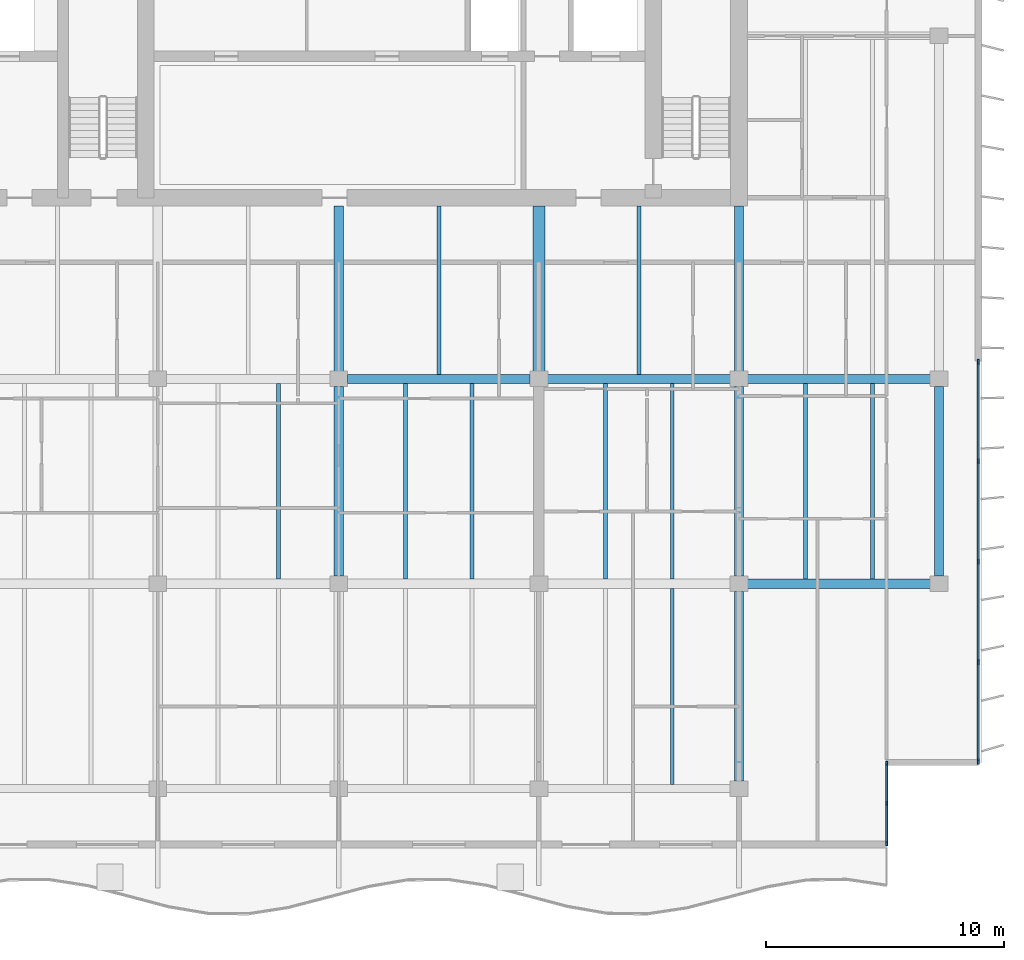
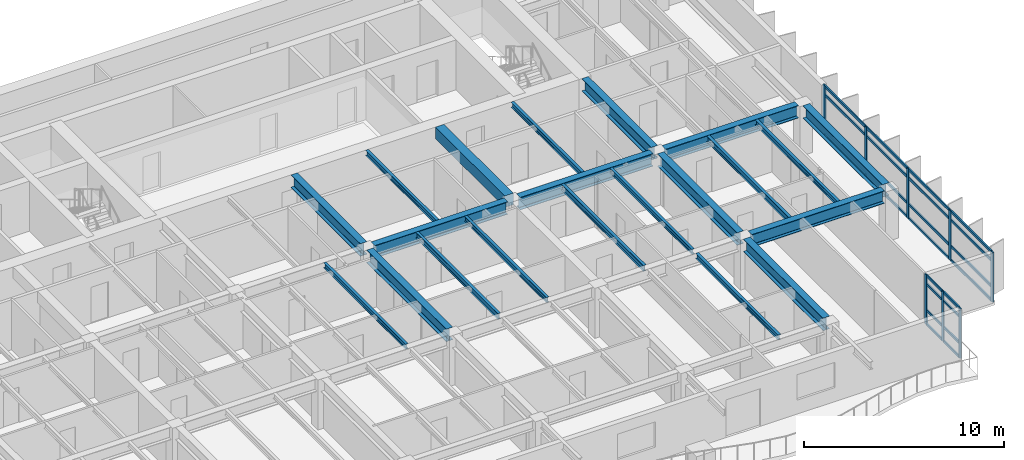
# One storey, part 4 of 19: 32 members, 21 beams, 2 elements without a shape of their own.
"""IFC4 building model written with IfcOpenShell, lengths in metres."""

from ifc_helpers import new_model, si_unit, direction, frame, origin, origin_2d, place, context, subcontext, project, spatial, rectangle, i_section, extrude, material, layer, layer_set, material_profile, profile_set, type_object, element, aggregate, save


model = new_model("IFC4")

# Units and contexts
model_context = context("Model", 3, precision=1e-05, world=origin(), true_north=direction((0.0, 1.0)))
body_context = subcontext(model_context, "Body", "Model", "MODEL_VIEW")
ifc_project = project(units=[si_unit("LENGTHUNIT", "METRE"), si_unit("AREAUNIT", "SQUARE_METRE"), si_unit("VOLUMEUNIT", "CUBIC_METRE"), si_unit("PLANEANGLEUNIT", "RADIAN"), si_unit("MASSUNIT", "GRAM", prefix="KILO")], contexts=[model_context])

# Site, building, storey
site_placement = place(None, origin())
site = spatial("IfcSite", under=ifc_project, at=site_placement, CompositionType="ELEMENT")
building_placement = place(site_placement, origin())
building = spatial("IfcBuilding", under=site, at=building_placement, Name="Caelmar Bay Residences", CompositionType="ELEMENT")
storey_placement = place(building_placement, frame((0.0, 0.0, 256.199951171875)))
storey = spatial("IfcBuildingStorey", under=building, at=storey_placement, Name="L72", CompositionType="ELEMENT", Elevation=256.199951171875)

# Beams
ifc_material_1 = material(Name="Steel ASTM A992 Grade 50", Category="steel")
ifc_material_profile_1 = material_profile(ifc_material_1, i_section(OverallWidth=0.381103515625, OverallDepth=0.77197265625, WebThickness=0.0166015625, FlangeThickness=0.027099609375, FilletRadius=0.0166015625, at=origin_2d()), Name="W30X173")
ifc_profile_set_1 = profile_set([ifc_material_profile_1], Name="Steel ASTM A992 Grade 50")
beam_type_1 = type_object("IfcBeamType", Name="BM-GRD-W30X173", PredefinedType="BEAM", material=ifc_profile_set_1)
beam_1_placement = place(storey_placement, frame((59.864990234375, 20.800048828125, 2.6640625), z_axis=(1.0, 0.0, 0.0), x_axis=(0.0, 1.0, 0.0)))
element("IfcBeam", 1, at=beam_1_placement, inside=storey, type_object=beam_type_1, Name="L72 East-West Girder Y=20.80 (59.5-67.9)", PredefinedType="BEAM", context=body_context, shape_type="SweptSolid", body=[
    extrude(i_section(OverallWidth=0.381103515625, OverallDepth=0.77197265625, WebThickness=0.0166015625, FlangeThickness=0.027099609375, FilletRadius=0.0166015625, at=origin_2d()), origin(), (0.0, 0.0, 1.0), 7.669921875),
])
beam_2_placement = place(storey_placement, frame((43.06494140625, 29.39990234375, 2.6640625), z_axis=(1.0, 0.0, 0.0), x_axis=(0.0, 1.0, 0.0)))
element("IfcBeam", 2, at=beam_2_placement, inside=storey, type_object=beam_type_1, Name="L72 East-West Girder Y=29.40 (42.7-51.1)", PredefinedType="BEAM", context=body_context, shape_type="SweptSolid", body=[
    extrude(i_section(OverallWidth=0.381103515625, OverallDepth=0.77197265625, WebThickness=0.0166015625, FlangeThickness=0.027099609375, FilletRadius=0.0166015625, at=origin_2d()), origin(), (0.0, 0.0, 1.0), 7.670166015625),
])
for number, where, z_axis, x_axis, name in (
    (3, (51.465087890625, 29.39990234375, 2.6640625), (1.0, 0.0, 0.0), (0.0, 1.0, 0.0), "L72 East-West Girder Y=29.40 (51.1-59.5)"),
    (4, (59.864990234375, 29.39990234375, 2.6640625), (1.0, 0.0, 0.0), (0.0, 1.0, 0.0), "L72 East-West Girder Y=29.40 (59.5-67.9)"),
):
    element("IfcBeam", number, at=place(storey_placement, frame(where, z_axis=z_axis, x_axis=x_axis)), inside=storey, type_object=beam_type_1, Name=name, PredefinedType="BEAM", context=body_context, shape_type="SweptSolid", body=[
        extrude(i_section(OverallWidth=0.381103515625, OverallDepth=0.77197265625, WebThickness=0.0166015625, FlangeThickness=0.027099609375, FilletRadius=0.0166015625, at=origin_2d()), origin(), (0.0, 0.0, 1.0), 7.669921875),
    ])
beam_3_placement = place(storey_placement, frame((42.699951171875, 29.715087890625, 2.6640625), z_axis=(0.0, 1.0, 0.0), x_axis=(-1.0, 0.0, 0.0)))
element("IfcBeam", 5, at=beam_3_placement, inside=storey, type_object=beam_type_1, Name="L72 Core Tie Girder X=42.70", PredefinedType="BEAM", context=body_context, shape_type="SweptSolid", body=[
    extrude(i_section(OverallWidth=0.381103515625, OverallDepth=0.77197265625, WebThickness=0.0166015625, FlangeThickness=0.027099609375, FilletRadius=0.0166015625, at=origin_2d()), origin(), (0.0, 0.0, 1.0), 6.934814453125),
])
beam_4_placement = place(storey_placement, frame((42.699951171875, 21.114990234375, 2.6640625), z_axis=(0.0, 1.0, 0.0), x_axis=(-1.0, 0.0, 0.0)))
element("IfcBeam", 6, at=beam_4_placement, inside=storey, type_object=beam_type_1, Name="L72 North-South Girder X=42.70 (20.8-29.4)", PredefinedType="BEAM", context=body_context, shape_type="SweptSolid", body=[
    extrude(i_section(OverallWidth=0.381103515625, OverallDepth=0.77197265625, WebThickness=0.0166015625, FlangeThickness=0.027099609375, FilletRadius=0.0166015625, at=origin_2d()), origin(), (0.0, 0.0, 1.0), 7.969970703125),
])
beam_5_placement = place(storey_placement, frame((59.5, 29.715087890625, 2.6640625), z_axis=(0.0, 1.0, 0.0), x_axis=(-1.0, 0.0, 0.0)))
element("IfcBeam", 7, at=beam_5_placement, inside=storey, type_object=beam_type_1, Name="L72 Core Tie Girder X=59.50", PredefinedType="BEAM", context=body_context, shape_type="SweptSolid", body=[
    extrude(i_section(OverallWidth=0.381103515625, OverallDepth=0.77197265625, WebThickness=0.0166015625, FlangeThickness=0.027099609375, FilletRadius=0.0166015625, at=origin_2d()), origin(), (0.0, 0.0, 1.0), 6.934814453125),
])
beam_6_placement = place(storey_placement, frame((59.5, 12.514892578125, 2.6640625), z_axis=(0.0, 1.0, 0.0), x_axis=(-1.0, 0.0, 0.0)))
element("IfcBeam", 8, at=beam_6_placement, inside=storey, type_object=beam_type_1, Name="L72 North-South Girder X=59.50 (12.2-20.8)", PredefinedType="BEAM", context=body_context, shape_type="SweptSolid", body=[
    extrude(i_section(OverallWidth=0.381103515625, OverallDepth=0.77197265625, WebThickness=0.0166015625, FlangeThickness=0.027099609375, FilletRadius=0.0166015625, at=origin_2d()), origin(), (0.0, 0.0, 1.0), 7.97021484375),
])
for number, where, z_axis, x_axis, name in (
    (9, (59.5, 21.114990234375, 2.6640625), (0.0, 1.0, 0.0), (-1.0, 0.0, 0.0), "L72 North-South Girder X=59.50 (20.8-29.4)"),
    (10, (67.89990234375, 21.114990234375, 2.6640625), (0.0, 1.0, 0.0), (-1.0, 0.0, 0.0), "L72 North-South Girder X=67.90 (20.8-29.4)"),
):
    element("IfcBeam", number, at=place(storey_placement, frame(where, z_axis=z_axis, x_axis=x_axis)), inside=storey, type_object=beam_type_1, Name=name, PredefinedType="BEAM", context=body_context, shape_type="SweptSolid", body=[
        extrude(i_section(OverallWidth=0.381103515625, OverallDepth=0.77197265625, WebThickness=0.0166015625, FlangeThickness=0.027099609375, FilletRadius=0.0166015625, at=origin_2d()), origin(), (0.0, 0.0, 1.0), 7.969970703125),
    ])
ifc_material_profile_2 = material_profile(ifc_material_1, i_section(OverallWidth=0.1650390625, OverallDepth=0.31005859375, WebThickness=0.005859375, FlangeThickness=0.009765625, FilletRadius=0.007568359375, at=origin_2d()), Name="W12X26")
ifc_profile_set_2 = profile_set([ifc_material_profile_2], Name="Steel ASTM A992 Grade 50")
beam_type_2 = type_object("IfcBeamType", Name="BM-JST-W12X26", PredefinedType="JOIST", material=ifc_profile_set_2)
beam_7_placement = place(storey_placement, frame((56.699951171875, 12.362548828125, 2.89501953125), z_axis=(0.0, 1.0, 0.0), x_axis=(-1.0, 0.0, 0.0)))
element("IfcBeam", 11, at=beam_7_placement, inside=storey, type_object=beam_type_2, Name="L72 Composite Floor Joist 10", PredefinedType="JOIST", context=body_context, shape_type="SweptSolid", body=[
    extrude(i_section(OverallWidth=0.1650390625, OverallDepth=0.31005859375, WebThickness=0.005859375, FlangeThickness=0.009765625, FilletRadius=0.007568359375, at=origin_2d()), origin(), (0.0, 0.0, 1.0), 8.2470703125),
])
for number, where, z_axis, x_axis, name in (
    (12, (40.166748046875, 20.990478515625, 2.89501953125), (0.0, 1.0, 0.0), (-1.0, 0.0, 0.0), "L72 Composite Floor Joist 18"),
    (13, (48.300048828125, 20.990478515625, 2.89501953125), (0.0, 1.0, 0.0), (-1.0, 0.0, 0.0), "L72 Composite Floor Joist 20"),
    (14, (56.699951171875, 20.990478515625, 2.89501953125), (0.0, 1.0, 0.0), (-1.0, 0.0, 0.0), "L72 Composite Floor Joist 22"),
    (15, (65.10009765625, 20.990478515625, 2.89501953125), (0.0, 1.0, 0.0), (-1.0, 0.0, 0.0), "L72 Composite Floor Joist 24"),
):
    element("IfcBeam", number, at=place(storey_placement, frame(where, z_axis=z_axis, x_axis=x_axis)), inside=storey, type_object=beam_type_2, Name=name, PredefinedType="JOIST", context=body_context, shape_type="SweptSolid", body=[
        extrude(i_section(OverallWidth=0.1650390625, OverallDepth=0.31005859375, WebThickness=0.005859375, FlangeThickness=0.009765625, FilletRadius=0.007568359375, at=origin_2d()), origin(), (0.0, 0.0, 1.0), 8.218994140625),
    ])
for number, where, z_axis, x_axis, name in (
    (16, (46.89990234375, 29.590576171875, 2.89501953125), (0.0, 1.0, 0.0), (-1.0, 0.0, 0.0), "L72 Core-Band Composite Joist 28"),
    (17, (55.300048828125, 29.590576171875, 2.89501953125), (0.0, 1.0, 0.0), (-1.0, 0.0, 0.0), "L72 Core-Band Composite Joist 29"),
):
    element("IfcBeam", number, at=place(storey_placement, frame(where, z_axis=z_axis, x_axis=x_axis)), inside=storey, type_object=beam_type_2, Name=name, PredefinedType="JOIST", context=body_context, shape_type="SweptSolid", body=[
        extrude(i_section(OverallWidth=0.1650390625, OverallDepth=0.31005859375, WebThickness=0.005859375, FlangeThickness=0.009765625, FilletRadius=0.007568359375, at=origin_2d()), origin(), (0.0, 0.0, 1.0), 7.059326171875),
    ])
ifc_material_profile_3 = material_profile(ifc_material_1, i_section(OverallWidth=0.1708984375, OverallDepth=0.35595703125, WebThickness=0.007080078125, FlangeThickness=0.01171875, FilletRadius=0.007568359375, at=origin_2d()), Name="W14X34")
ifc_profile_set_3 = profile_set([ifc_material_profile_3], Name="Steel ASTM A992 Grade 50")
beam_type_3 = type_object("IfcBeamType", Name="BM-JST-W14X34", PredefinedType="JOIST", material=ifc_profile_set_3)
for number, where, z_axis, x_axis, name in (
    (18, (45.5, 20.990478515625, 2.8720703125), (0.0, 1.0, 0.0), (-1.0, 0.0, 0.0), "L72 Composite Floor Joist 19"),
    (19, (53.89990234375, 20.990478515625, 2.8720703125), (0.0, 1.0, 0.0), (-1.0, 0.0, 0.0), "L72 Composite Floor Joist 21"),
    (20, (62.300048828125, 20.990478515625, 2.8720703125), (0.0, 1.0, 0.0), (-1.0, 0.0, 0.0), "L72 Composite Floor Joist 23"),
):
    element("IfcBeam", number, at=place(storey_placement, frame(where, z_axis=z_axis, x_axis=x_axis)), inside=storey, type_object=beam_type_3, Name=name, PredefinedType="JOIST", context=body_context, shape_type="SweptSolid", body=[
        extrude(i_section(OverallWidth=0.1708984375, OverallDepth=0.35595703125, WebThickness=0.007080078125, FlangeThickness=0.01171875, FilletRadius=0.007568359375, at=origin_2d()), origin(), (0.0, 0.0, 1.0), 8.218994140625),
    ])
ifc_material_2 = material(Name="Concrete f'c 55 MPa (8,000 psi)", Category="concrete")
ifc_material_profile_4 = material_profile(ifc_material_2, rectangle(XDim=0.5, YDim=0.699951171875, at=origin_2d()), Name="RC-BM-500X700")
ifc_profile_set_4 = profile_set([ifc_material_profile_4], Name="Concrete f'c 55 MPa (8,000 psi)")
beam_type_4 = type_object("IfcBeamType", Name="BM-RC-500X700", PredefinedType="LINTEL", material=ifc_profile_set_4)
beam_8_placement = place(storey_placement, frame((51.10009765625, 29.715087890625, 2.699951171875), z_axis=(0.0, 1.0, 0.0), x_axis=(-1.0, 0.0, 0.0)))
element("IfcBeam", 21, at=beam_8_placement, inside=storey, type_object=beam_type_4, Name="L72 Shear-Wall Corridor Coupling Lintel E8", PredefinedType="LINTEL", context=body_context, shape_type="SweptSolid", body=[
    extrude(rectangle(XDim=0.5, YDim=0.699951171875, at=origin_2d()), origin(), (0.0, 0.0, 1.0), 6.934814453125),
])

# Curtain wall, members
ifc_material_3 = material(Name="Anodised bronze aluminium 6063-T6 and laminated glass", Category="aluminium")
ifc_layer_1 = layer(ifc_material_3, 0.179931640625)
ifc_layer_set_1 = layer_set([ifc_layer_1], Name="Anodised bronze aluminium 6063-T6 and laminated glass")
curtain_wall_type_1 = type_object("IfcCurtainWallType", Name="CW6-NTC", PredefinedType="NOTDEFINED", material=ifc_layer_set_1)
curtain_wall_1_placement = place(storey_placement, origin())
curtain_wall_1 = element("IfcCurtainWall", 22, at=curtain_wall_1_placement, inside=storey, type_object=curtain_wall_type_1, Name="CW6 curtain wall L72", PredefinedType="NOTDEFINED")
ifc_material_4 = material(Name="Anodised bronze aluminium 6063-T6", Category="aluminium")
ifc_material_profile_5 = material_profile(ifc_material_4, rectangle(XDim=0.080078125, YDim=0.179931640625, at=origin_2d()), Name="CWM-80X180")
ifc_profile_set_5 = profile_set([ifc_material_profile_5], Name="Anodised bronze aluminium 6063-T6")
member_type_1 = type_object("IfcMemberType", Name="CWM-180", PredefinedType="MULLION", material=ifc_profile_set_5)
member_1_placement = place(storey_placement, frame((65.699951171875, 9.889892578125, 0.0), z_axis=(0.0, 0.0, 1.0), x_axis=(-1.0, 0.0, 0.0)))
member_1 = element("IfcMember", 23, at=member_1_placement, type_object=member_type_1, Name="CW6 mullion 1", PredefinedType="MULLION", context=body_context, shape_type="SweptSolid", body=[
    extrude(rectangle(XDim=0.080078125, YDim=0.179931640625, at=origin_2d()), origin(), (0.0, 0.0, 1.0), 3.050048828125),
])
member_2_placement = place(storey_placement, frame((65.699951171875, 11.574951171875, 0.0), z_axis=(0.0, 0.0, 1.0), x_axis=(-1.0, 0.0, 0.0)))
member_2 = element("IfcMember", 24, at=member_2_placement, type_object=member_type_1, Name="CW6 mullion 2", PredefinedType="MULLION", context=body_context, shape_type="SweptSolid", body=[
    extrude(rectangle(XDim=0.080078125, YDim=0.179931640625, at=origin_2d()), origin(), (0.0, 0.0, 1.0), 3.050048828125),
])
member_3_placement = place(storey_placement, frame((65.699951171875, 13.260009765625, 0.0), z_axis=(0.0, 0.0, 1.0), x_axis=(-1.0, 0.0, 0.0)))
member_3 = element("IfcMember", 25, at=member_3_placement, type_object=member_type_1, Name="CW6 mullion 3", PredefinedType="MULLION", context=body_context, shape_type="SweptSolid", body=[
    extrude(rectangle(XDim=0.080078125, YDim=0.179931640625, at=origin_2d()), origin(), (0.0, 0.0, 1.0), 3.050048828125),
])

ifc_layer_2 = layer(ifc_material_3, 0.179931640625)
ifc_layer_set_2 = layer_set([ifc_layer_2], Name="Anodised bronze aluminium 6063-T6 and laminated glass")
curtain_wall_type_2 = type_object("IfcCurtainWallType", Name="CW5-Z4", PredefinedType="NOTDEFINED", material=ifc_layer_set_2)
curtain_wall_2_placement = place(storey_placement, origin())
curtain_wall_2 = element("IfcCurtainWall", 26, at=curtain_wall_2_placement, inside=storey, type_object=curtain_wall_type_2, Name="CW5 curtain wall L72", PredefinedType="NOTDEFINED")
ifc_material_profile_6 = material_profile(ifc_material_4, rectangle(XDim=0.080078125, YDim=0.219970703125, at=origin_2d()), Name="CWM-80X220")
ifc_profile_set_6 = profile_set([ifc_material_profile_6], Name="Anodised bronze aluminium 6063-T6")
member_type_2 = type_object("IfcMemberType", Name="CWM-220", PredefinedType="MULLION", material=ifc_profile_set_6)
member_4_placement = place(storey_placement, frame((69.550048828125, 30.110107421875, 0.0), z_axis=(0.0, 0.0, 1.0), x_axis=(1.0, 0.0, 0.0)))
member_4 = element("IfcMember", 27, at=member_4_placement, type_object=member_type_2, Name="CW5 mullion 1", PredefinedType="MULLION", context=body_context, shape_type="SweptSolid", body=[
    extrude(rectangle(XDim=0.080078125, YDim=0.219970703125, at=origin_2d()), origin(), (0.0, 0.0, 1.0), 3.050048828125),
])
member_5_placement = place(storey_placement, frame((69.550048828125, 25.9375, 0.0), z_axis=(0.0, 0.0, 1.0), x_axis=(1.0, 0.0, 0.0)))
member_5 = element("IfcMember", 28, at=member_5_placement, type_object=member_type_2, Name="CW5 mullion 2", PredefinedType="MULLION", context=body_context, shape_type="SweptSolid", body=[
    extrude(rectangle(XDim=0.080078125, YDim=0.219970703125, at=origin_2d()), origin(), (0.0, 0.0, 1.0), 3.050048828125),
])
member_6_placement = place(storey_placement, frame((69.550048828125, 21.72509765625, 0.0), z_axis=(0.0, 0.0, 1.0), x_axis=(1.0, 0.0, 0.0)))
member_6 = element("IfcMember", 29, at=member_6_placement, type_object=member_type_2, Name="CW5 mullion 3", PredefinedType="MULLION", context=body_context, shape_type="SweptSolid", body=[
    extrude(rectangle(XDim=0.080078125, YDim=0.219970703125, at=origin_2d()), origin(), (0.0, 0.0, 1.0), 3.050048828125),
])
member_7_placement = place(storey_placement, frame((69.550048828125, 17.512451171875, 0.0), z_axis=(0.0, 0.0, 1.0), x_axis=(1.0, 0.0, 0.0)))
member_7 = element("IfcMember", 30, at=member_7_placement, type_object=member_type_2, Name="CW5 mullion 4", PredefinedType="MULLION", context=body_context, shape_type="SweptSolid", body=[
    extrude(rectangle(XDim=0.080078125, YDim=0.219970703125, at=origin_2d()), origin(), (0.0, 0.0, 1.0), 3.050048828125),
])
member_8_placement = place(storey_placement, frame((69.550048828125, 13.340087890625, 0.0), z_axis=(0.0, 0.0, 1.0), x_axis=(1.0, 0.0, 0.0)))
member_8 = element("IfcMember", 31, at=member_8_placement, type_object=member_type_2, Name="CW5 mullion 5", PredefinedType="MULLION", context=body_context, shape_type="SweptSolid", body=[
    extrude(rectangle(XDim=0.080078125, YDim=0.219970703125, at=origin_2d()), origin(), (0.0, 0.0, 1.0), 3.050048828125),
])

# Member
ifc_material_profile_7 = material_profile(ifc_material_4, rectangle(XDim=0.080078125, YDim=0.139892578125, at=origin_2d()), Name="CWT-80X140")
ifc_profile_set_7 = profile_set([ifc_material_profile_7], Name="Anodised bronze aluminium 6063-T6")
member_type_3 = type_object("IfcMemberType", Name="CWT-140", PredefinedType="NOTDEFINED", material=ifc_profile_set_7)
member_9_placement = place(storey_placement, frame((65.699951171875, 9.929931640625, 0.0400390625), z_axis=(0.0, 1.0, 0.0), x_axis=(-1.0, 0.0, 0.0)))
member_9 = element("IfcMember", 32, at=member_9_placement, type_object=member_type_3, Name="CW6 transom 1.1", ObjectType="TRANSOM", PredefinedType="USERDEFINED", context=body_context, shape_type="SweptSolid", body=[
    extrude(rectangle(XDim=0.080078125, YDim=0.139892578125, at=origin_2d()), origin(), (0.0, 0.0, 1.0), 1.60498046875),
])

member_10_placement = place(storey_placement, frame((65.699951171875, 9.929931640625, 0.900146484375), z_axis=(0.0, 1.0, 0.0), x_axis=(-1.0, 0.0, 0.0)))
member_10 = element("IfcMember", 33, at=member_10_placement, type_object=member_type_3, Name="CW6 transom 1.2", ObjectType="TRANSOM", PredefinedType="USERDEFINED", context=body_context, shape_type="SweptSolid", body=[
    extrude(rectangle(XDim=0.080078125, YDim=0.139892578125, at=origin_2d()), origin(), (0.0, 0.0, 1.0), 1.60498046875),
])

member_11_placement = place(storey_placement, frame((65.699951171875, 9.929931640625, 2.5), z_axis=(0.0, 1.0, 0.0), x_axis=(-1.0, 0.0, 0.0)))
member_11 = element("IfcMember", 34, at=member_11_placement, type_object=member_type_3, Name="CW6 transom 1.3", ObjectType="TRANSOM", PredefinedType="USERDEFINED", context=body_context, shape_type="SweptSolid", body=[
    extrude(rectangle(XDim=0.080078125, YDim=0.139892578125, at=origin_2d()), origin(), (0.0, 0.0, 1.0), 1.60498046875),
])

member_12_placement = place(storey_placement, frame((65.699951171875, 9.929931640625, 3.010009765625), z_axis=(0.0, 1.0, 0.0), x_axis=(-1.0, 0.0, 0.0)))
member_12 = element("IfcMember", 35, at=member_12_placement, type_object=member_type_3, Name="CW6 transom 1.4", ObjectType="TRANSOM", PredefinedType="USERDEFINED", context=body_context, shape_type="SweptSolid", body=[
    extrude(rectangle(XDim=0.080078125, YDim=0.139892578125, at=origin_2d()), origin(), (0.0, 0.0, 1.0), 1.60498046875),
])

member_13_placement = place(storey_placement, frame((65.699951171875, 11.614990234375, 0.0400390625), z_axis=(0.0, 1.0, 0.0), x_axis=(-1.0, 0.0, 0.0)))
member_13 = element("IfcMember", 36, at=member_13_placement, type_object=member_type_3, Name="CW6 transom 2.1", ObjectType="TRANSOM", PredefinedType="USERDEFINED", context=body_context, shape_type="SweptSolid", body=[
    extrude(rectangle(XDim=0.080078125, YDim=0.139892578125, at=origin_2d()), origin(), (0.0, 0.0, 1.0), 1.60498046875),
])

member_14_placement = place(storey_placement, frame((65.699951171875, 11.614990234375, 0.900146484375), z_axis=(0.0, 1.0, 0.0), x_axis=(-1.0, 0.0, 0.0)))
member_14 = element("IfcMember", 37, at=member_14_placement, type_object=member_type_3, Name="CW6 transom 2.2", ObjectType="TRANSOM", PredefinedType="USERDEFINED", context=body_context, shape_type="SweptSolid", body=[
    extrude(rectangle(XDim=0.080078125, YDim=0.139892578125, at=origin_2d()), origin(), (0.0, 0.0, 1.0), 1.60498046875),
])

member_15_placement = place(storey_placement, frame((65.699951171875, 11.614990234375, 2.5), z_axis=(0.0, 1.0, 0.0), x_axis=(-1.0, 0.0, 0.0)))
member_15 = element("IfcMember", 38, at=member_15_placement, type_object=member_type_3, Name="CW6 transom 2.3", ObjectType="TRANSOM", PredefinedType="USERDEFINED", context=body_context, shape_type="SweptSolid", body=[
    extrude(rectangle(XDim=0.080078125, YDim=0.139892578125, at=origin_2d()), origin(), (0.0, 0.0, 1.0), 1.60498046875),
])

member_16_placement = place(storey_placement, frame((65.699951171875, 11.614990234375, 3.010009765625), z_axis=(0.0, 1.0, 0.0), x_axis=(-1.0, 0.0, 0.0)))
member_16 = element("IfcMember", 39, at=member_16_placement, type_object=member_type_3, Name="CW6 transom 2.4", ObjectType="TRANSOM", PredefinedType="USERDEFINED", context=body_context, shape_type="SweptSolid", body=[
    extrude(rectangle(XDim=0.080078125, YDim=0.139892578125, at=origin_2d()), origin(), (0.0, 0.0, 1.0), 1.60498046875),
])

aggregate(curtain_wall_1, [member_1, member_2, member_3, member_9, member_10, member_11, member_12, member_13, member_14, member_15, member_16])

ifc_material_profile_8 = material_profile(ifc_material_4, rectangle(XDim=0.080078125, YDim=0.159912109375, at=origin_2d()), Name="CWT-80X160")
ifc_profile_set_8 = profile_set([ifc_material_profile_8], Name="Anodised bronze aluminium 6063-T6")
member_type_4 = type_object("IfcMemberType", Name="CWT-160", PredefinedType="NOTDEFINED", material=ifc_profile_set_8)
member_17_placement = place(storey_placement, frame((69.550048828125, 30.070068359375, 0.0400390625), z_axis=(0.0, -1.0, 0.0), x_axis=(1.0, 0.0, 0.0)))
member_17 = element("IfcMember", 40, at=member_17_placement, type_object=member_type_4, Name="CW5 transom 1.1", ObjectType="TRANSOM", PredefinedType="USERDEFINED", context=body_context, shape_type="SweptSolid", body=[
    extrude(rectangle(XDim=0.080078125, YDim=0.159912109375, at=origin_2d()), origin(), (0.0, 0.0, 1.0), 4.092529296875),
])

member_18_placement = place(storey_placement, frame((69.550048828125, 30.070068359375, 0.900146484375), z_axis=(0.0, -1.0, 0.0), x_axis=(1.0, 0.0, 0.0)))
member_18 = element("IfcMember", 41, at=member_18_placement, type_object=member_type_4, Name="CW5 transom 1.2", ObjectType="TRANSOM", PredefinedType="USERDEFINED", context=body_context, shape_type="SweptSolid", body=[
    extrude(rectangle(XDim=0.080078125, YDim=0.159912109375, at=origin_2d()), origin(), (0.0, 0.0, 1.0), 4.092529296875),
])

member_19_placement = place(storey_placement, frame((69.550048828125, 30.070068359375, 2.5), z_axis=(0.0, -1.0, 0.0), x_axis=(1.0, 0.0, 0.0)))
member_19 = element("IfcMember", 42, at=member_19_placement, type_object=member_type_4, Name="CW5 transom 1.3", ObjectType="TRANSOM", PredefinedType="USERDEFINED", context=body_context, shape_type="SweptSolid", body=[
    extrude(rectangle(XDim=0.080078125, YDim=0.159912109375, at=origin_2d()), origin(), (0.0, 0.0, 1.0), 4.092529296875),
])

member_20_placement = place(storey_placement, frame((69.550048828125, 30.070068359375, 3.010009765625), z_axis=(0.0, -1.0, 0.0), x_axis=(1.0, 0.0, 0.0)))
member_20 = element("IfcMember", 43, at=member_20_placement, type_object=member_type_4, Name="CW5 transom 1.4", ObjectType="TRANSOM", PredefinedType="USERDEFINED", context=body_context, shape_type="SweptSolid", body=[
    extrude(rectangle(XDim=0.080078125, YDim=0.159912109375, at=origin_2d()), origin(), (0.0, 0.0, 1.0), 4.092529296875),
])

member_21_placement = place(storey_placement, frame((69.550048828125, 25.8974609375, 0.0400390625), z_axis=(0.0, -1.0, 0.0), x_axis=(1.0, 0.0, 0.0)))
member_21 = element("IfcMember", 44, at=member_21_placement, type_object=member_type_4, Name="CW5 transom 2.1", ObjectType="TRANSOM", PredefinedType="USERDEFINED", context=body_context, shape_type="SweptSolid", body=[
    extrude(rectangle(XDim=0.080078125, YDim=0.159912109375, at=origin_2d()), origin(), (0.0, 0.0, 1.0), 4.132568359375),
])

member_22_placement = place(storey_placement, frame((69.550048828125, 25.8974609375, 0.900146484375), z_axis=(0.0, -1.0, 0.0), x_axis=(1.0, 0.0, 0.0)))
member_22 = element("IfcMember", 45, at=member_22_placement, type_object=member_type_4, Name="CW5 transom 2.2", ObjectType="TRANSOM", PredefinedType="USERDEFINED", context=body_context, shape_type="SweptSolid", body=[
    extrude(rectangle(XDim=0.080078125, YDim=0.159912109375, at=origin_2d()), origin(), (0.0, 0.0, 1.0), 4.132568359375),
])

member_23_placement = place(storey_placement, frame((69.550048828125, 25.8974609375, 2.5), z_axis=(0.0, -1.0, 0.0), x_axis=(1.0, 0.0, 0.0)))
member_23 = element("IfcMember", 46, at=member_23_placement, type_object=member_type_4, Name="CW5 transom 2.3", ObjectType="TRANSOM", PredefinedType="USERDEFINED", context=body_context, shape_type="SweptSolid", body=[
    extrude(rectangle(XDim=0.080078125, YDim=0.159912109375, at=origin_2d()), origin(), (0.0, 0.0, 1.0), 4.132568359375),
])

member_24_placement = place(storey_placement, frame((69.550048828125, 25.8974609375, 3.010009765625), z_axis=(0.0, -1.0, 0.0), x_axis=(1.0, 0.0, 0.0)))
member_24 = element("IfcMember", 47, at=member_24_placement, type_object=member_type_4, Name="CW5 transom 2.4", ObjectType="TRANSOM", PredefinedType="USERDEFINED", context=body_context, shape_type="SweptSolid", body=[
    extrude(rectangle(XDim=0.080078125, YDim=0.159912109375, at=origin_2d()), origin(), (0.0, 0.0, 1.0), 4.132568359375),
])

member_25_placement = place(storey_placement, frame((69.550048828125, 21.68505859375, 0.0400390625), z_axis=(0.0, -1.0, 0.0), x_axis=(1.0, 0.0, 0.0)))
member_25 = element("IfcMember", 48, at=member_25_placement, type_object=member_type_4, Name="CW5 transom 3.1", ObjectType="TRANSOM", PredefinedType="USERDEFINED", context=body_context, shape_type="SweptSolid", body=[
    extrude(rectangle(XDim=0.080078125, YDim=0.159912109375, at=origin_2d()), origin(), (0.0, 0.0, 1.0), 4.132568359375),
])

member_26_placement = place(storey_placement, frame((69.550048828125, 21.68505859375, 0.900146484375), z_axis=(0.0, -1.0, 0.0), x_axis=(1.0, 0.0, 0.0)))
member_26 = element("IfcMember", 49, at=member_26_placement, type_object=member_type_4, Name="CW5 transom 3.2", ObjectType="TRANSOM", PredefinedType="USERDEFINED", context=body_context, shape_type="SweptSolid", body=[
    extrude(rectangle(XDim=0.080078125, YDim=0.159912109375, at=origin_2d()), origin(), (0.0, 0.0, 1.0), 4.132568359375),
])

member_27_placement = place(storey_placement, frame((69.550048828125, 21.68505859375, 2.5), z_axis=(0.0, -1.0, 0.0), x_axis=(1.0, 0.0, 0.0)))
member_27 = element("IfcMember", 50, at=member_27_placement, type_object=member_type_4, Name="CW5 transom 3.3", ObjectType="TRANSOM", PredefinedType="USERDEFINED", context=body_context, shape_type="SweptSolid", body=[
    extrude(rectangle(XDim=0.080078125, YDim=0.159912109375, at=origin_2d()), origin(), (0.0, 0.0, 1.0), 4.132568359375),
])

member_28_placement = place(storey_placement, frame((69.550048828125, 21.68505859375, 3.010009765625), z_axis=(0.0, -1.0, 0.0), x_axis=(1.0, 0.0, 0.0)))
member_28 = element("IfcMember", 51, at=member_28_placement, type_object=member_type_4, Name="CW5 transom 3.4", ObjectType="TRANSOM", PredefinedType="USERDEFINED", context=body_context, shape_type="SweptSolid", body=[
    extrude(rectangle(XDim=0.080078125, YDim=0.159912109375, at=origin_2d()), origin(), (0.0, 0.0, 1.0), 4.132568359375),
])

member_29_placement = place(storey_placement, frame((69.550048828125, 17.472412109375, 0.0400390625), z_axis=(0.0, -1.0, 0.0), x_axis=(1.0, 0.0, 0.0)))
member_29 = element("IfcMember", 52, at=member_29_placement, type_object=member_type_4, Name="CW5 transom 4.1", ObjectType="TRANSOM", PredefinedType="USERDEFINED", context=body_context, shape_type="SweptSolid", body=[
    extrude(rectangle(XDim=0.080078125, YDim=0.159912109375, at=origin_2d()), origin(), (0.0, 0.0, 1.0), 4.092529296875),
])

member_30_placement = place(storey_placement, frame((69.550048828125, 17.472412109375, 0.900146484375), z_axis=(0.0, -1.0, 0.0), x_axis=(1.0, 0.0, 0.0)))
member_30 = element("IfcMember", 53, at=member_30_placement, type_object=member_type_4, Name="CW5 transom 4.2", ObjectType="TRANSOM", PredefinedType="USERDEFINED", context=body_context, shape_type="SweptSolid", body=[
    extrude(rectangle(XDim=0.080078125, YDim=0.159912109375, at=origin_2d()), origin(), (0.0, 0.0, 1.0), 4.092529296875),
])

member_31_placement = place(storey_placement, frame((69.550048828125, 17.472412109375, 2.5), z_axis=(0.0, -1.0, 0.0), x_axis=(1.0, 0.0, 0.0)))
member_31 = element("IfcMember", 54, at=member_31_placement, type_object=member_type_4, Name="CW5 transom 4.3", ObjectType="TRANSOM", PredefinedType="USERDEFINED", context=body_context, shape_type="SweptSolid", body=[
    extrude(rectangle(XDim=0.080078125, YDim=0.159912109375, at=origin_2d()), origin(), (0.0, 0.0, 1.0), 4.092529296875),
])

member_32_placement = place(storey_placement, frame((69.550048828125, 17.472412109375, 3.010009765625), z_axis=(0.0, -1.0, 0.0), x_axis=(1.0, 0.0, 0.0)))
member_32 = element("IfcMember", 55, at=member_32_placement, type_object=member_type_4, Name="CW5 transom 4.4", ObjectType="TRANSOM", PredefinedType="USERDEFINED", context=body_context, shape_type="SweptSolid", body=[
    extrude(rectangle(XDim=0.080078125, YDim=0.159912109375, at=origin_2d()), origin(), (0.0, 0.0, 1.0), 4.092529296875),
])

aggregate(curtain_wall_2, [member_4, member_5, member_6, member_7, member_8, member_17, member_18, member_19, member_20, member_21, member_22, member_23, member_24, member_25, member_26, member_27, member_28, member_29, member_30, member_31, member_32])

save(model, "model.ifc")
